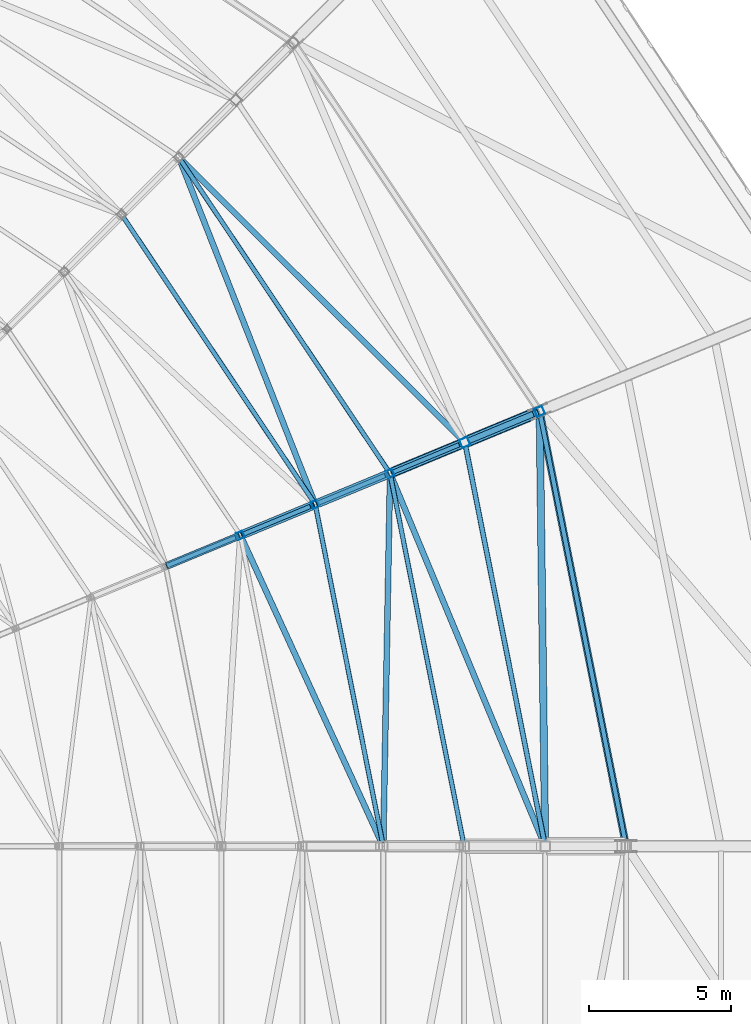
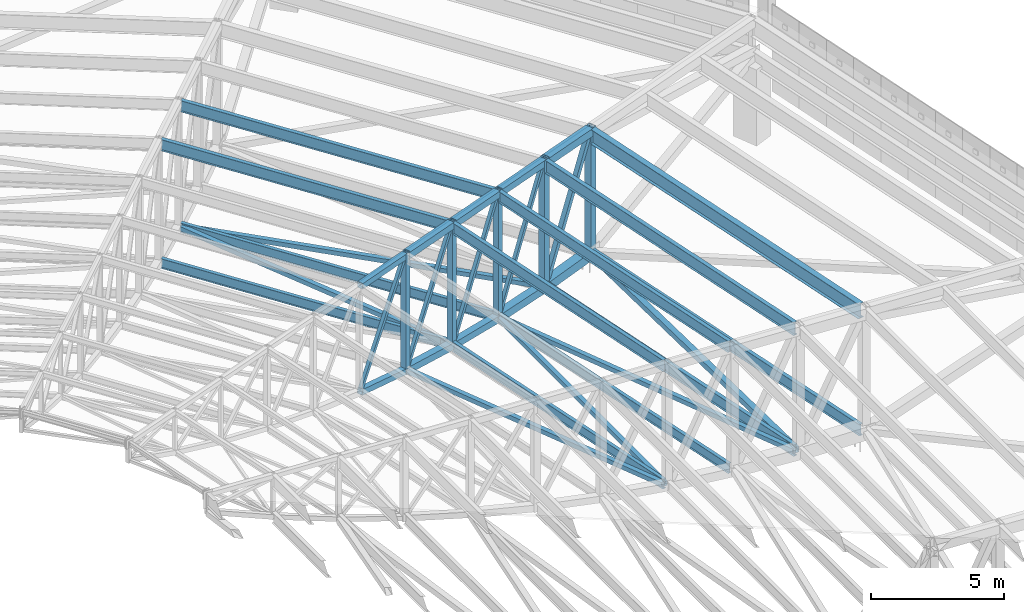
# One storey, part 101 of 278: 23 members, 15 beams.
"""IFC4 building model written with IfcOpenShell, lengths in metres."""

from ifc_helpers import new_model, si_unit, direction, frame, origin, origin_2d, place, context, subcontext, project, spatial, hollow_rectangle, i_section, extrude, material, material_profile, profile_set, type_object, element, save


model = new_model("IFC4")

# Units and contexts
model_context = context("Model", 3, precision=1e-05, world=origin(), true_north=direction((0.0, 1.0)))
body_context = subcontext(model_context, "Body", "Model", "MODEL_VIEW")
ifc_project = project(units=[si_unit("LENGTHUNIT", "METRE"), si_unit("AREAUNIT", "SQUARE_METRE"), si_unit("VOLUMEUNIT", "CUBIC_METRE"), si_unit("PLANEANGLEUNIT", "RADIAN"), si_unit("MASSUNIT", "GRAM", prefix="KILO")], contexts=[model_context])

# Site, building, storey
site_placement = place(None, origin())
site = spatial("IfcSite", under=ifc_project, at=site_placement, CompositionType="ELEMENT")
building_placement = place(site_placement, origin())
building = spatial("IfcBuilding", under=site, at=building_placement, Name="Ogive Plaza Stadium", CompositionType="ELEMENT")
storey_placement = place(building_placement, frame((0.0, 0.0, 29.0)))
storey = spatial("IfcBuildingStorey", under=building, at=storey_placement, Name="Roof", CompositionType="ELEMENT", Elevation=29.0)

# Members
ifc_material_1 = material(Name="Steel ASTM A500 Grade C", Category="steel")
ifc_material_profile_1 = material_profile(ifc_material_1, hollow_rectangle(XDim=0.25390625, YDim=0.25390625, WallThickness=0.0087890625, at=origin_2d()), Name="HSS10X10X3/8")
ifc_profile_set_1 = profile_set([ifc_material_profile_1], Name="Steel ASTM A500 Grade C")
member_type_1 = type_object("IfcMemberType", Name="Roof plan brace HSS10X10X3/8", PredefinedType="BRACE", material=ifc_profile_set_1)
member_1_placement = place(storey_placement, frame((71.148193359375, 52.6494140625, 0.266845703125), z_axis=(-0.012733242681, 0.99991008144, -0.004206372102), x_axis=(-0.999918927545, -0.01273335533, 0.0)))
element("IfcMember", 1, at=member_1_placement, inside=storey, type_object=member_type_1, Name="ROOF BRACE B40 10", PredefinedType="BRACE", context=body_context, shape_type="SweptSolid", body=[
    extrude(hollow_rectangle(XDim=0.25390625, YDim=0.25390625, WallThickness=0.0087890625, at=origin_2d()), origin(), (0.0, 0.0, 1.0), 14.974609375),
])
ifc_material_2 = material(Name="Steel ASTM A500 Grade C", Category="steel")
ifc_material_profile_2 = material_profile(ifc_material_2, hollow_rectangle(XDim=0.203125, YDim=0.203125, WallThickness=0.0087890625, at=origin_2d()), Name="HSS8X8X3/8")
ifc_profile_set_2 = profile_set([ifc_material_profile_2], Name="Steel ASTM A500 Grade C")
member_type_2 = type_object("IfcMemberType", Name="Roof plan brace HSS8X8X3/8", PredefinedType="BRACE", material=ifc_profile_set_2)
member_2_placement = place(storey_placement, frame((63.019775390625, 64.62744140625, 0.728515625), z_axis=(-0.365704344988, 0.930458154897, -0.022537835805), x_axis=(-0.930694559954, -0.365797260887, 0.0)))
element("IfcMember", 2, at=member_2_placement, inside=storey, type_object=member_type_2, Name="ROOF BRACE B39 8", PredefinedType="BRACE", context=body_context, shape_type="SweptSolid", body=[
    extrude(hollow_rectangle(XDim=0.203125, YDim=0.203125, WallThickness=0.0087890625, at=origin_2d()), origin(), (0.0, 0.0, 1.0), 12.8798828125),
])
member_3_placement = place(storey_placement, frame((58.322509765625, 76.68505859375, 0.43359375), z_axis=(0.708160077122, -0.705953861868, -0.011766481353), x_axis=(0.706002736629, 0.708209104624, 0.0)))
element("IfcMember", 3, at=member_3_placement, inside=storey, type_object=member_type_2, Name="ROOF BRACE B39 9", PredefinedType="BRACE", context=body_context, shape_type="SweptSolid", body=[
    extrude(hollow_rectangle(XDim=0.203125, YDim=0.203125, WallThickness=0.0087890625, at=origin_2d()), origin(), (0.0, 0.0, 1.0), 13.943115234375),
])
member_4_placement = place(storey_placement, frame((60.465087890625, 63.35302734375, 1.176513671875), z_axis=(0.417096122157, -0.908096456975, -0.037304821551), x_axis=(0.908728993339, 0.417386651277, 0.0)))
element("IfcMember", 4, at=member_4_placement, inside=storey, type_object=member_type_2, Name="ROOF BRACE B40 7", PredefinedType="BRACE", context=body_context, shape_type="SweptSolid", body=[
    extrude(hollow_rectangle(XDim=0.203125, YDim=0.203125, WallThickness=0.0087890625, at=origin_2d()), origin(), (0.0, 0.0, 1.0), 11.76708984375),
])
member_5_placement = place(storey_placement, frame((65.4521484375, 52.624267578125, 0.727783203125), z_axis=(0.018213899904, 0.999580346119, -0.022525219276), x_axis=(-0.999834028948, 0.018218522397, 0.0)))
element("IfcMember", 5, at=member_5_placement, inside=storey, type_object=member_type_2, Name="ROOF BRACE B40 8", PredefinedType="BRACE", context=body_context, shape_type="SweptSolid", body=[
    extrude(hollow_rectangle(XDim=0.203125, YDim=0.203125, WallThickness=0.0087890625, at=origin_2d()), origin(), (0.0, 0.0, 1.0), 12.8544921875),
])
member_6_placement = place(storey_placement, frame((65.726318359375, 65.536376953125, 0.43359375), z_axis=(0.384097852451, -0.923217338495, -0.011772240396), x_axis=(0.92328131748, 0.384124470442, 0.0)))
element("IfcMember", 6, at=member_6_placement, inside=storey, type_object=member_type_2, Name="ROOF BRACE B40 9", PredefinedType="BRACE", context=body_context, shape_type="SweptSolid", body=[
    extrude(hollow_rectangle(XDim=0.203125, YDim=0.203125, WallThickness=0.0087890625, at=origin_2d()), origin(), (0.0, 0.0, 1.0), 13.91552734375),
])
ifc_material_3 = material(Name="Steel ASTM A992 Grade 50", Category="steel")
ifc_material_profile_3 = material_profile(ifc_material_3, i_section(OverallWidth=0.15234375, OverallDepth=0.449462890625, WebThickness=0.007568359375, FlangeThickness=0.0107421875, at=origin_2d()), Name="W18X35")
ifc_profile_set_3 = profile_set([ifc_material_profile_3], Name="Steel ASTM A992 Grade 50")
member_type_3 = type_object("IfcMemberType", Name="Roof plan strut W18X35", PredefinedType="STRUT", material=ifc_profile_set_3)
member_7_placement = place(storey_placement, frame((56.30224609375, 74.64306640625, 0.730712890625), z_axis=(0.555574800687, -0.831466560266, 0.0), x_axis=(0.831466560266, 0.555574800687, 0.0)))
element("IfcMember", 7, at=member_7_placement, inside=storey, type_object=member_type_3, Name="ROOF STRUT B39 7", PredefinedType="STRUT", context=body_context, shape_type="SweptSolid", body=[
    extrude(i_section(OverallWidth=0.15234375, OverallDepth=0.449462890625, WebThickness=0.007568359375, FlangeThickness=0.0107421875, at=origin_2d()), origin(), (0.0, 0.0, 1.0), 12.0419921875),
])
member_8_placement = place(storey_placement, frame((58.3173828125, 76.658447265625, 0.434814453125), z_axis=(0.555582209578, -0.831461609697, 0.0), x_axis=(0.831461609697, 0.555582209578, 0.0)))
element("IfcMember", 8, at=member_8_placement, inside=storey, type_object=member_type_3, Name="ROOF STRUT B39 8", PredefinedType="STRUT", context=body_context, shape_type="SweptSolid", body=[
    extrude(i_section(OverallWidth=0.15234375, OverallDepth=0.449462890625, WebThickness=0.007568359375, FlangeThickness=0.0107421875, at=origin_2d()), origin(), (0.0, 0.0, 1.0), 13.154052734375),
])
member_9_placement = place(storey_placement, frame((63.078369140625, 64.4228515625, 0.730712890625), z_axis=(0.195096207281, -0.980784109733, 0.0), x_axis=(0.980784109733, 0.195096207281, 0.0)))
element("IfcMember", 9, at=member_9_placement, inside=storey, type_object=member_type_3, Name="ROOF STRUT B40 7", PredefinedType="STRUT", context=body_context, shape_type="SweptSolid", body=[
    extrude(i_section(OverallWidth=0.15234375, OverallDepth=0.449462890625, WebThickness=0.007568359375, FlangeThickness=0.0107421875, at=origin_2d()), origin(), (0.0, 0.0, 1.0), 12.015869140625),
])
member_10_placement = place(storey_placement, frame((65.71142578125, 65.513671875, 0.434814453125), z_axis=(0.195094759096, -0.980784397803, 0.0), x_axis=(0.980784397803, 0.195094759096, 0.0)))
element("IfcMember", 10, at=member_10_placement, inside=storey, type_object=member_type_3, Name="ROOF STRUT B40 8", PredefinedType="STRUT", context=body_context, shape_type="SweptSolid", body=[
    extrude(i_section(OverallWidth=0.15234375, OverallDepth=0.449462890625, WebThickness=0.007568359375, FlangeThickness=0.0107421875, at=origin_2d()), origin(), (0.0, 0.0, 1.0), 13.10205078125),
])
ifc_material_4 = material(Name="Steel ASTM A992 Grade 50", Category="steel")
ifc_material_profile_4 = material_profile(ifc_material_4, i_section(OverallWidth=0.1650390625, OverallDepth=0.524658203125, WebThickness=0.0087890625, FlangeThickness=0.011474609375, at=origin_2d()), Name="W21X44")
ifc_profile_set_4 = profile_set([ifc_material_profile_4], Name="Steel ASTM A992 Grade 50")
member_type_4 = type_object("IfcMemberType", Name="Roof plan strut W21X44", PredefinedType="STRUT", material=ifc_profile_set_4)
member_11_placement = place(storey_placement, frame((68.349853515625, 66.57763671875, 0.267333984375), z_axis=(0.195080090906, -0.980787315442, 0.0), x_axis=(0.980787315442, 0.195080090906, 0.0)))
element("IfcMember", 11, at=member_11_placement, inside=storey, type_object=member_type_4, Name="ROOF STRUT B40 9", PredefinedType="STRUT", context=body_context, shape_type="SweptSolid", body=[
    extrude(i_section(OverallWidth=0.1650390625, OverallDepth=0.524658203125, WebThickness=0.0087890625, FlangeThickness=0.011474609375, at=origin_2d()), origin(), (0.0, 0.0, 1.0), 14.185546875),
])
member_12_placement = place(storey_placement, frame((70.98291015625, 67.668212890625, 0.203125), z_axis=(0.195087872799, -0.98078576758, 0.0), x_axis=(0.98078576758, 0.195087872799, 0.0)))
element("IfcMember", 12, at=member_12_placement, inside=storey, type_object=member_type_4, Name="ROOF STRUT B40 10", PredefinedType="STRUT", context=body_context, shape_type="SweptSolid", body=[
    extrude(i_section(OverallWidth=0.1650390625, OverallDepth=0.524658203125, WebThickness=0.0087890625, FlangeThickness=0.011474609375, at=origin_2d()), origin(), (0.0, 0.0, 1.0), 15.297607421875),
])
ifc_material_5 = material(Name="Steel ASTM A992 Grade 50", Category="steel")
ifc_material_profile_5 = material_profile(ifc_material_5, i_section(OverallWidth=0.1650390625, OverallDepth=0.524658203125, WebThickness=0.0087890625, FlangeThickness=0.011474609375, at=origin_2d()), Name="W21X44")
ifc_profile_set_5 = profile_set([ifc_material_profile_5], Name="Steel ASTM A992 Grade 50")
member_type_5 = type_object("IfcMemberType", Name="Roof purlin W21X44", PredefinedType="PURLIN", material=ifc_profile_set_5)
member_13_placement = place(storey_placement, frame((56.302978515625, 74.64208984375, 6.1650390625), z_axis=(0.555574992462, -0.831466432125, 0.0), x_axis=(0.831466432125, 0.555574992462, 0.0)))
element("IfcMember", 13, at=member_13_placement, inside=storey, type_object=member_type_5, Name="ROOF PURLIN B39 7", PredefinedType="PURLIN", context=body_context, shape_type="SweptSolid", body=[
    extrude(i_section(OverallWidth=0.1650390625, OverallDepth=0.524658203125, WebThickness=0.0087890625, FlangeThickness=0.011474609375, at=origin_2d()), origin(), (0.0, 0.0, 1.0), 12.039306640625),
])
member_14_placement = place(storey_placement, frame((58.318115234375, 76.657470703125, 6.022705078125), z_axis=(0.555573811188, -0.831467221436, 0.0), x_axis=(0.831467221436, 0.555573811188, 0.0)))
element("IfcMember", 14, at=member_14_placement, inside=storey, type_object=member_type_5, Name="ROOF PURLIN B39 8", PredefinedType="PURLIN", context=body_context, shape_type="SweptSolid", body=[
    extrude(i_section(OverallWidth=0.1650390625, OverallDepth=0.524658203125, WebThickness=0.0087890625, FlangeThickness=0.011474609375, at=origin_2d()), origin(), (0.0, 0.0, 1.0), 13.151611328125),
])
member_15_placement = place(storey_placement, frame((63.07861328125, 64.421630859375, 6.1650390625), z_axis=(0.195095995879, -0.980784151785, 0.0), x_axis=(0.980784151785, 0.195095995879, 0.0)))
element("IfcMember", 15, at=member_15_placement, inside=storey, type_object=member_type_5, Name="ROOF PURLIN B40 7", PredefinedType="PURLIN", context=body_context, shape_type="SweptSolid", body=[
    extrude(i_section(OverallWidth=0.1650390625, OverallDepth=0.524658203125, WebThickness=0.0087890625, FlangeThickness=0.011474609375, at=origin_2d()), origin(), (0.0, 0.0, 1.0), 12.013427734375),
])
member_16_placement = place(storey_placement, frame((65.711669921875, 65.512451171875, 6.022705078125), z_axis=(0.195094564949, -0.980784436422, 0.0), x_axis=(0.980784436422, 0.195094564949, 0.0)))
element("IfcMember", 16, at=member_16_placement, inside=storey, type_object=member_type_5, Name="ROOF PURLIN B40 8", PredefinedType="PURLIN", context=body_context, shape_type="SweptSolid", body=[
    extrude(i_section(OverallWidth=0.1650390625, OverallDepth=0.524658203125, WebThickness=0.0087890625, FlangeThickness=0.011474609375, at=origin_2d()), origin(), (0.0, 0.0, 1.0), 13.099609375),
])
ifc_material_6 = material(Name="Steel ASTM A992 Grade 50", Category="steel")
ifc_material_profile_6 = material_profile(ifc_material_6, i_section(OverallWidth=0.177978515625, OverallDepth=0.5986328125, WebThickness=0.010009765625, FlangeThickness=0.012939453125, at=origin_2d()), Name="W24X55")
ifc_profile_set_6 = profile_set([ifc_material_profile_6], Name="Steel ASTM A992 Grade 50")
member_type_6 = type_object("IfcMemberType", Name="Roof purlin W24X55", PredefinedType="PURLIN", material=ifc_profile_set_6)
member_17_placement = place(storey_placement, frame((68.35009765625, 66.576416015625, 5.84326171875), z_axis=(0.195079909016, -0.98078735162, 0.0), x_axis=(0.98078735162, 0.195079909016, 0.0)))
element("IfcMember", 17, at=member_17_placement, inside=storey, type_object=member_type_6, Name="ROOF PURLIN B40 9", PredefinedType="PURLIN", context=body_context, shape_type="SweptSolid", body=[
    extrude(i_section(OverallWidth=0.177978515625, OverallDepth=0.5986328125, WebThickness=0.010009765625, FlangeThickness=0.012939453125, at=origin_2d()), origin(), (0.0, 0.0, 1.0), 14.18310546875),
])
ifc_material_7 = material(Name="Steel ASTM A992 Grade 50", Category="steel")
ifc_material_profile_7 = material_profile(ifc_material_7, i_section(OverallWidth=0.2529296875, OverallDepth=0.678466796875, WebThickness=0.01171875, FlangeThickness=0.016357421875, at=origin_2d()), Name="W27X84")
ifc_profile_set_7 = profile_set([ifc_material_profile_7], Name="Steel ASTM A992 Grade 50")
member_type_7 = type_object("IfcMemberType", Name="Roof purlin W27X84", PredefinedType="PURLIN", material=ifc_profile_set_7)
member_18_placement = place(storey_placement, frame((70.984619140625, 67.65966796875, 5.660888671875), z_axis=(0.195086699859, -0.980786000888, 0.0), x_axis=(0.980786000888, 0.195086699859, 0.0)))
element("IfcMember", 18, at=member_18_placement, inside=storey, type_object=member_type_7, Name="ROOF PURLIN B40 10", PredefinedType="PURLIN", context=body_context, shape_type="SweptSolid", body=[
    extrude(i_section(OverallWidth=0.2529296875, OverallDepth=0.678466796875, WebThickness=0.01171875, FlangeThickness=0.016357421875, at=origin_2d()), origin(), (0.0, 0.0, 1.0), 15.2802734375),
])

# Beams
ifc_material_8 = material(Name="Steel ASTM A500 Grade C", Category="steel")
ifc_material_profile_8 = material_profile(ifc_material_8, hollow_rectangle(XDim=0.25390625, YDim=0.25390625, WallThickness=0.01171875, at=origin_2d()), Name="HSS10X10X1/2")
ifc_profile_set_8 = profile_set([ifc_material_profile_8], Name="Steel ASTM A500 Grade C")
beam_type_1 = type_object("IfcBeamType", Name="Roof truss bottom chord HSS10X10X1/2", PredefinedType="BEAM", material=ifc_profile_set_8)
beam_1_placement = place(storey_placement, frame((57.833251953125, 62.3720703125, 1.726318359375), z_axis=(0.905437709043, 0.375020513968, -0.198852128843), x_axis=(-0.382662472935, 0.923888213913, 0.0)))
element("IfcBeam", 19, at=beam_1_placement, inside=storey, type_object=beam_type_1, Name="ROOF TRUSS T40 BOTTOM CHORD 6", PredefinedType="BEAM", context=body_context, shape_type="SweptSolid", body=[
    extrude(hollow_rectangle(XDim=0.25390625, YDim=0.25390625, WallThickness=0.01171875, at=origin_2d()), origin(), (0.0, 0.0, 1.0), 2.80908203125),
])
ifc_material_9 = material(Name="Steel ASTM A500 Grade C", Category="steel")
ifc_material_profile_9 = material_profile(ifc_material_9, hollow_rectangle(XDim=0.3046875, YDim=0.3046875, WallThickness=0.0146484375, at=origin_2d()), Name="HSS12X12X5/8")
ifc_profile_set_9 = profile_set([ifc_material_profile_9], Name="Steel ASTM A500 Grade C")
beam_type_2 = type_object("IfcBeamType", Name="Roof truss bottom chord HSS12X12X5/8", PredefinedType="BEAM", material=ifc_profile_set_9)
beam_2_placement = place(storey_placement, frame((60.46923828125, 63.4638671875, 1.17431640625), z_axis=(0.912570809119, 0.378060038258, -0.15583685641), x_axis=(-0.382735997737, 0.923857757469, 0.0)))
element("IfcBeam", 20, at=beam_2_placement, inside=storey, type_object=beam_type_2, Name="ROOF TRUSS T40 BOTTOM CHORD 7", PredefinedType="BEAM", context=body_context, shape_type="SweptSolid", body=[
    extrude(hollow_rectangle(XDim=0.3046875, YDim=0.3046875, WallThickness=0.0146484375, at=origin_2d()), origin(), (0.0, 0.0, 1.0), 2.783935546875),
])
beam_3_placement = place(storey_placement, frame((63.102294921875, 64.554443359375, 0.72607421875), z_axis=(0.918040635639, 0.380326079208, -0.112042245557), x_axis=(-0.382735997737, 0.923857757469, 0.0)))
element("IfcBeam", 21, at=beam_3_placement, inside=storey, type_object=beam_type_2, Name="ROOF TRUSS T40 BOTTOM CHORD 8", PredefinedType="BEAM", context=body_context, shape_type="SweptSolid", body=[
    extrude(hollow_rectangle(XDim=0.3046875, YDim=0.3046875, WallThickness=0.0146484375, at=origin_2d()), origin(), (0.0, 0.0, 1.0), 2.767333984375),
])
ifc_material_10 = material(Name="Steel ASTM A500 Grade C", Category="steel")
ifc_material_profile_10 = material_profile(ifc_material_10, hollow_rectangle(XDim=0.355712890625, YDim=0.355712890625, WallThickness=0.0146484375, at=origin_2d()), Name="HSS14X14X5/8")
ifc_profile_set_10 = profile_set([ifc_material_profile_10], Name="Steel ASTM A500 Grade C")
beam_type_3 = type_object("IfcBeamType", Name="Roof truss bottom chord HSS14X14X5/8", PredefinedType="BEAM", material=ifc_profile_set_10)
beam_4_placement = place(storey_placement, frame((65.7353515625, 65.645263671875, 0.431884765625), z_axis=(0.92178205255, 0.381787492455, -0.067499320012), x_axis=(-0.382660217904, 0.923889147914, 0.0)))
element("IfcBeam", 22, at=beam_4_placement, inside=storey, type_object=beam_type_3, Name="ROOF TRUSS T40 BOTTOM CHORD 9", PredefinedType="BEAM", context=body_context, shape_type="SweptSolid", body=[
    extrude(hollow_rectangle(XDim=0.355712890625, YDim=0.355712890625, WallThickness=0.0146484375, at=origin_2d()), origin(), (0.0, 0.0, 1.0), 2.756103515625),
])
ifc_material_11 = material(Name="Steel ASTM A500 Grade C", Category="steel")
ifc_material_profile_11 = material_profile(ifc_material_11, hollow_rectangle(XDim=0.406494140625, YDim=0.406494140625, WallThickness=0.0146484375, at=origin_2d()), Name="HSS16X16X5/8")
ifc_profile_set_11 = profile_set([ifc_material_profile_11], Name="Steel ASTM A500 Grade C")
beam_type_4 = type_object("IfcBeamType", Name="Roof truss bottom chord HSS16X16X5/8", PredefinedType="BEAM", material=ifc_profile_set_11)
beam_5_placement = place(storey_placement, frame((68.368408203125, 66.73583984375, 0.266357421875), z_axis=(0.923654312396, 0.382562952761, -0.022545473318), x_axis=(-0.382660217904, 0.923889147914, 0.0)))
element("IfcBeam", 23, at=beam_5_placement, inside=storey, type_object=beam_type_4, Name="ROOF TRUSS T40 BOTTOM CHORD 10", PredefinedType="BEAM", context=body_context, shape_type="SweptSolid", body=[
    extrude(hollow_rectangle(XDim=0.406494140625, YDim=0.406494140625, WallThickness=0.0146484375, at=origin_2d()), origin(), (0.0, 0.0, 1.0), 2.75048828125),
])

# Members
ifc_material_12 = material(Name="Steel ASTM A500 Grade C", Category="steel")
ifc_material_profile_12 = material_profile(ifc_material_12, hollow_rectangle(XDim=0.15234375, YDim=0.15234375, WallThickness=0.0087890625, at=origin_2d()), Name="HSS6X6X3/8")
ifc_profile_set_12 = profile_set([ifc_material_profile_12], Name="Steel ASTM A500 Grade C")
member_type_8 = type_object("IfcMemberType", Name="Roof truss diagonal HSS6X6X3/8", PredefinedType="BRACE", material=ifc_profile_set_12)
member_19_placement = place(storey_placement, frame((57.8837890625, 62.39306640625, 1.8603515625), z_axis=(0.468491524227, 0.194055612203, 0.861892169067), x_axis=(-0.382683548526, 0.923879484396, 0.0)))
element("IfcMember", 24, at=member_19_placement, inside=storey, type_object=member_type_8, Name="ROOF TRUSS T40 DIAGONAL 6", PredefinedType="BRACE", context=body_context, shape_type="SweptSolid", body=[
    extrude(hollow_rectangle(XDim=0.15234375, YDim=0.15234375, WallThickness=0.0087890625, at=origin_2d()), origin(), (0.0, 0.0, 1.0), 5.16943359375),
])
member_20_placement = place(storey_placement, frame((60.540283203125, 63.493408203125, 1.332763671875), z_axis=(0.440218602007, 0.18233402805, 0.879182509302), x_axis=(-0.382664645806, 0.923887313935, 0.0)))
element("IfcMember", 25, at=member_20_placement, inside=storey, type_object=member_type_8, Name="ROOF TRUSS T40 DIAGONAL 7", PredefinedType="BRACE", context=body_context, shape_type="SweptSolid", body=[
    extrude(hollow_rectangle(XDim=0.15234375, YDim=0.15234375, WallThickness=0.0087890625, at=origin_2d()), origin(), (0.0, 0.0, 1.0), 5.4482421875),
])
member_21_placement = place(storey_placement, frame((63.17333984375, 64.583984375, 0.883056640625), z_axis=(0.419293904541, 0.17366723306, 0.891084908287), x_axis=(-0.382664645806, 0.923887313935, 0.0)))
element("IfcMember", 26, at=member_21_placement, inside=storey, type_object=member_type_8, Name="ROOF TRUSS T40 DIAGONAL 8", PredefinedType="BRACE", context=body_context, shape_type="SweptSolid", body=[
    extrude(hollow_rectangle(XDim=0.15234375, YDim=0.15234375, WallThickness=0.0087890625, at=origin_2d()), origin(), (0.0, 0.0, 1.0), 5.72021484375),
])
member_22_placement = place(storey_placement, frame((65.806396484375, 65.674560546875, 0.612548828125), z_axis=(0.407847472246, 0.168958194197, 0.897281208984), x_axis=(-0.382726432205, 0.923861720222, 0.0)))
element("IfcMember", 27, at=member_22_placement, inside=storey, type_object=member_type_8, Name="ROOF TRUSS T40 DIAGONAL 9", PredefinedType="BRACE", context=body_context, shape_type="SweptSolid", body=[
    extrude(hollow_rectangle(XDim=0.15234375, YDim=0.15234375, WallThickness=0.0087890625, at=origin_2d()), origin(), (0.0, 0.0, 1.0), 5.8232421875),
])
ifc_material_13 = material(Name="Steel ASTM A500 Grade C", Category="steel")
ifc_material_profile_13 = material_profile(ifc_material_13, hollow_rectangle(XDim=0.203125, YDim=0.203125, WallThickness=0.0087890625, at=origin_2d()), Name="HSS8X8X3/8")
ifc_profile_set_13 = profile_set([ifc_material_profile_13], Name="Steel ASTM A500 Grade C")
member_type_9 = type_object("IfcMemberType", Name="Roof truss diagonal HSS8X8X3/8", PredefinedType="BRACE", material=ifc_profile_set_13)
member_23_placement = place(storey_placement, frame((68.462890625, 66.77490234375, 0.470703125), z_axis=(0.407844983819, 0.168947413355, 0.897284370027), x_axis=(-0.382707581205, 0.923869529365, 0.0)))
element("IfcMember", 28, at=member_23_placement, inside=storey, type_object=member_type_9, Name="ROOF TRUSS T40 DIAGONAL 10", PredefinedType="BRACE", context=body_context, shape_type="SweptSolid", body=[
    extrude(hollow_rectangle(XDim=0.203125, YDim=0.203125, WallThickness=0.0087890625, at=origin_2d()), origin(), (0.0, 0.0, 1.0), 5.765869140625),
])

# Beams
ifc_material_14 = material(Name="Steel ASTM A500 Grade C", Category="steel")
ifc_material_profile_14 = material_profile(ifc_material_14, hollow_rectangle(XDim=0.25390625, YDim=0.25390625, WallThickness=0.01171875, at=origin_2d()), Name="HSS10X10X1/2")
ifc_profile_set_14 = profile_set([ifc_material_profile_14], Name="Steel ASTM A500 Grade C")
beam_type_5 = type_object("IfcBeamType", Name="Roof truss post HSS10X10X1/2", PredefinedType="BEAM", material=ifc_profile_set_14)
beam_6_placement = place(storey_placement, frame((60.4228515625, 63.44482421875, 1.028076171875), z_axis=(0.0, 0.0, 1.0), x_axis=(-0.382683432365, 0.923879532511, 0.0)))
element("IfcBeam", 29, at=beam_6_placement, inside=storey, type_object=beam_type_5, Name="ROOF TRUSS T40 POST 7", PredefinedType="BEAM", context=body_context, shape_type="SweptSolid", body=[
    extrude(hollow_rectangle(XDim=0.25390625, YDim=0.25390625, WallThickness=0.01171875, at=origin_2d()), origin(), (0.0, 0.0, 1.0), 5.5419921875),
])
beam_7_placement = place(storey_placement, frame((63.055908203125, 64.535400390625, 0.578369140625), z_axis=(0.0, 0.0, 1.0), x_axis=(-0.382683432365, 0.923879532511, 0.0)))
element("IfcBeam", 30, at=beam_7_placement, inside=storey, type_object=beam_type_5, Name="ROOF TRUSS T40 POST 8", PredefinedType="BEAM", context=body_context, shape_type="SweptSolid", body=[
    extrude(hollow_rectangle(XDim=0.25390625, YDim=0.25390625, WallThickness=0.01171875, at=origin_2d()), origin(), (0.0, 0.0, 1.0), 5.84912109375),
])
beam_8_placement = place(storey_placement, frame((65.68896484375, 65.6259765625, 0.257080078125), z_axis=(0.0, 0.0, 1.0), x_axis=(-0.382683432365, 0.923879532511, 0.0)))
element("IfcBeam", 31, at=beam_8_placement, inside=storey, type_object=beam_type_5, Name="ROOF TRUSS T40 POST 9", PredefinedType="BEAM", context=body_context, shape_type="SweptSolid", body=[
    extrude(hollow_rectangle(XDim=0.25390625, YDim=0.25390625, WallThickness=0.01171875, at=origin_2d()), origin(), (0.0, 0.0, 1.0), 6.02783203125),
])
ifc_material_15 = material(Name="Steel ASTM A500 Grade C", Category="steel")
ifc_material_profile_15 = material_profile(ifc_material_15, hollow_rectangle(XDim=0.3046875, YDim=0.3046875, WallThickness=0.01171875, at=origin_2d()), Name="HSS12X12X1/2")
ifc_profile_set_15 = profile_set([ifc_material_profile_15], Name="Steel ASTM A500 Grade C")
beam_type_6 = type_object("IfcBeamType", Name="Roof truss post HSS12X12X1/2", PredefinedType="BEAM", material=ifc_profile_set_15)
beam_9_placement = place(storey_placement, frame((68.322021484375, 66.716796875, 0.064208984375), z_axis=(0.0, 0.0, 1.0), x_axis=(-0.382683432365, 0.923879532511, 0.0)))
element("IfcBeam", 32, at=beam_9_placement, inside=storey, type_object=beam_type_6, Name="ROOF TRUSS T40 POST 10", PredefinedType="BEAM", context=body_context, shape_type="SweptSolid", body=[
    extrude(hollow_rectangle(XDim=0.3046875, YDim=0.3046875, WallThickness=0.01171875, at=origin_2d()), origin(), (0.0, 0.0, 1.0), 6.078369140625),
])
beam_10_placement = place(storey_placement, frame((70.955078125, 67.807373046875, -0.06005859375), z_axis=(0.0, 0.0, 1.0), x_axis=(-0.382683432365, 0.923879532511, 0.0)))
element("IfcBeam", 33, at=beam_10_placement, inside=storey, type_object=beam_type_6, Name="ROOF TRUSS T40 POST 11", PredefinedType="BEAM", context=body_context, shape_type="SweptSolid", body=[
    extrude(hollow_rectangle(XDim=0.3046875, YDim=0.3046875, WallThickness=0.01171875, at=origin_2d()), origin(), (0.0, 0.0, 1.0), 6.06005859375),
])
ifc_material_16 = material(Name="Steel ASTM A500 Grade C", Category="steel")
ifc_material_profile_16 = material_profile(ifc_material_16, hollow_rectangle(XDim=0.25390625, YDim=0.25390625, WallThickness=0.0087890625, at=origin_2d()), Name="HSS10X10X3/8")
ifc_profile_set_16 = profile_set([ifc_material_profile_16], Name="Steel ASTM A500 Grade C")
beam_type_7 = type_object("IfcBeamType", Name="Roof truss top chord HSS10X10X3/8", PredefinedType="BEAM", material=ifc_profile_set_16)
beam_11_placement = place(storey_placement, frame((57.836181640625, 62.373291015625, 6.582763671875), z_axis=(0.922737112453, 0.382183063105, -0.049923216828), x_axis=(-0.382660217904, 0.923889147914, 0.0)))
element("IfcBeam", 34, at=beam_11_placement, inside=storey, type_object=beam_type_7, Name="ROOF TRUSS T40 TOP CHORD 6", PredefinedType="BEAM", context=body_context, shape_type="SweptSolid", body=[
    extrude(hollow_rectangle(XDim=0.25390625, YDim=0.25390625, WallThickness=0.0087890625, at=origin_2d()), origin(), (0.0, 0.0, 1.0), 2.753173828125),
])
ifc_material_17 = material(Name="Steel ASTM A500 Grade C", Category="steel")
ifc_material_profile_17 = material_profile(ifc_material_17, hollow_rectangle(XDim=0.3046875, YDim=0.3046875, WallThickness=0.01171875, at=origin_2d()), Name="HSS12X12X1/2")
ifc_profile_set_17 = profile_set([ifc_material_profile_17], Name="Steel ASTM A500 Grade C")
beam_type_8 = type_object("IfcBeamType", Name="Roof truss top chord HSS12X12X1/2", PredefinedType="BEAM", material=ifc_profile_set_17)
beam_12_placement = place(storey_placement, frame((65.7353515625, 65.645263671875, 6.1298828125), z_axis=(0.922737112453, 0.382183063105, -0.049923216828), x_axis=(-0.382660217904, 0.923889147914, 0.0)))
element("IfcBeam", 35, at=beam_12_placement, inside=storey, type_object=beam_type_8, Name="ROOF TRUSS T40 TOP CHORD 9", PredefinedType="BEAM", context=body_context, shape_type="SweptSolid", body=[
    extrude(hollow_rectangle(XDim=0.3046875, YDim=0.3046875, WallThickness=0.01171875, at=origin_2d()), origin(), (0.0, 0.0, 1.0), 2.753173828125),
])
ifc_material_18 = material(Name="Steel ASTM A500 Grade C", Category="steel")
ifc_material_profile_18 = material_profile(ifc_material_18, hollow_rectangle(XDim=0.3046875, YDim=0.3046875, WallThickness=0.0087890625, at=origin_2d()), Name="HSS12X12X3/8")
ifc_profile_set_18 = profile_set([ifc_material_profile_18], Name="Steel ASTM A500 Grade C")
beam_type_9 = type_object("IfcBeamType", Name="Roof truss top chord HSS12X12X3/8", PredefinedType="BEAM", material=ifc_profile_set_18)
for number, where, z_axis, x_axis, name in (
    (36, (60.46923828125, 63.4638671875, 6.414794921875), (0.922705839284, 0.382258780814, -0.049921524843), (-0.382735997737, 0.923857757469, 0.0), "ROOF TRUSS T40 TOP CHORD 7"),
    (37, (63.102294921875, 64.554443359375, 6.2724609375), (0.922705839284, 0.382258780814, -0.049921524843), (-0.382735997737, 0.923857757469, 0.0), "ROOF TRUSS T40 TOP CHORD 8"),
):
    element("IfcBeam", number, at=place(storey_placement, frame(where, z_axis=z_axis, x_axis=x_axis)), inside=storey, type_object=beam_type_9, Name=name, PredefinedType="BEAM", context=body_context, shape_type="SweptSolid", body=[
        extrude(hollow_rectangle(XDim=0.3046875, YDim=0.3046875, WallThickness=0.0087890625, at=origin_2d()), origin(), (0.0, 0.0, 1.0), 2.75341796875),
    ])
ifc_material_19 = material(Name="Steel ASTM A500 Grade C", Category="steel")
ifc_material_profile_19 = material_profile(ifc_material_19, hollow_rectangle(XDim=0.355712890625, YDim=0.355712890625, WallThickness=0.01171875, at=origin_2d()), Name="HSS14X14X1/2")
ifc_profile_set_19 = profile_set([ifc_material_profile_19], Name="Steel ASTM A500 Grade C")
beam_type_10 = type_object("IfcBeamType", Name="Roof truss top chord HSS14X14X1/2", PredefinedType="BEAM", material=ifc_profile_set_19)
beam_13_placement = place(storey_placement, frame((68.368408203125, 66.73583984375, 5.9619140625), z_axis=(0.922737112453, 0.382183063105, -0.049923216828), x_axis=(-0.382660217904, 0.923889147914, 0.0)))
element("IfcBeam", 38, at=beam_13_placement, inside=storey, type_object=beam_type_10, Name="ROOF TRUSS T40 TOP CHORD 10", PredefinedType="BEAM", context=body_context, shape_type="SweptSolid", body=[
    extrude(hollow_rectangle(XDim=0.355712890625, YDim=0.355712890625, WallThickness=0.01171875, at=origin_2d()), origin(), (0.0, 0.0, 1.0), 2.753173828125),
])

save(model, "model.ifc")
